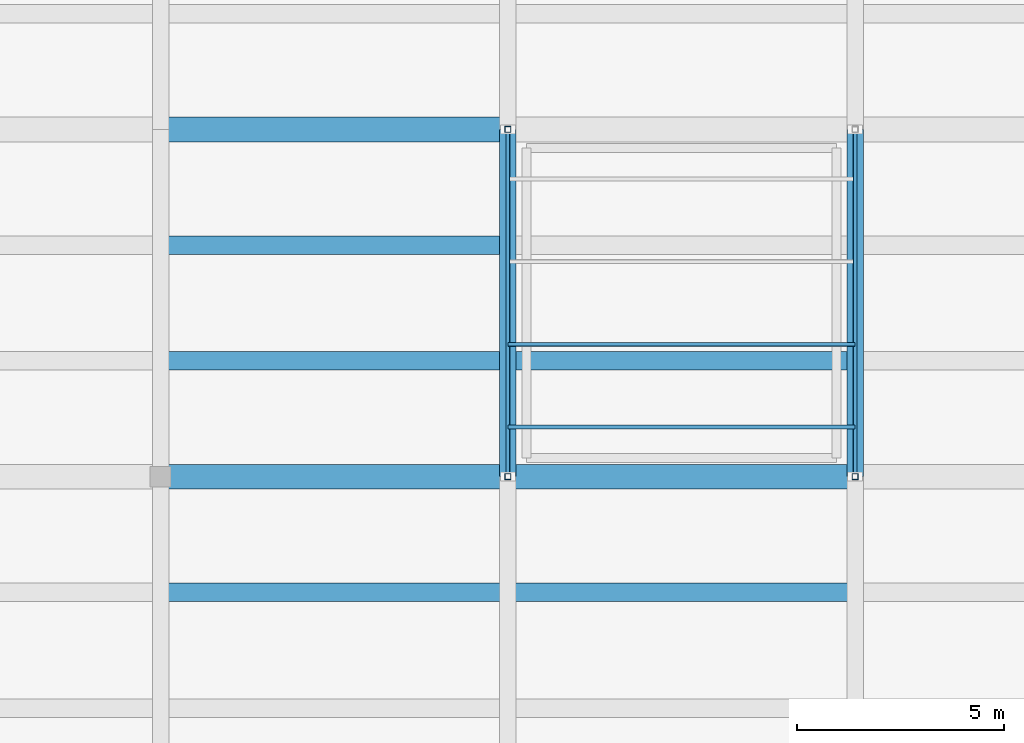
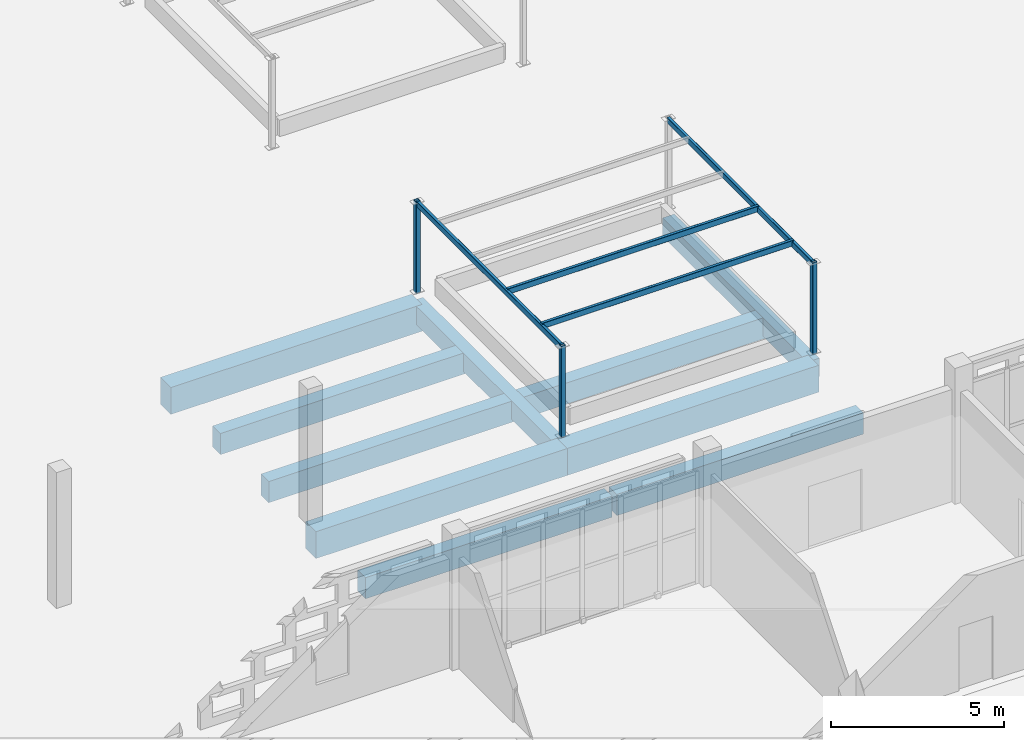
# One storey, part 11 of 129: 10 beams, 7 members.
"""IFC4 building model written with IfcOpenShell, lengths in metres."""

from ifc_helpers import new_model, si_unit, direction, frame, origin, origin_2d, place, context, subcontext, project, spatial, rectangle, hollow_rectangle, extrude, material, material_profile, profile_set, type_object, element, save


model = new_model("IFC4")

# Units and contexts
model_context = context("Model", 3, precision=1e-05, world=origin(), true_north=direction((0.0, 1.0)))
body_context = subcontext(model_context, "Body", "Model", "MODEL_VIEW")
ifc_project = project(units=[si_unit("LENGTHUNIT", "METRE"), si_unit("AREAUNIT", "SQUARE_METRE"), si_unit("VOLUMEUNIT", "CUBIC_METRE"), si_unit("PLANEANGLEUNIT", "RADIAN"), si_unit("MASSUNIT", "GRAM", prefix="KILO")], contexts=[model_context])

# Site, building, storey
site_placement = place(None, origin())
site = spatial("IfcSite", under=ifc_project, at=site_placement, CompositionType="ELEMENT")
building_placement = place(site_placement, origin())
building = spatial("IfcBuilding", under=site, at=building_placement, Name="Varnapada Polytechnic", CompositionType="ELEMENT")
storey_placement = place(building_placement, origin())
storey = spatial("IfcBuildingStorey", under=building, at=storey_placement, Name="L00", CompositionType="ELEMENT", Elevation=0.0)

# Beams
ifc_material_1 = material(Name="Concrete C40/50", Category="concrete")
ifc_material_profile_1 = material_profile(ifc_material_1, rectangle(XDim=0.449951171875, YDim=0.75, at=origin_2d()), Name="RC 450x750")
ifc_profile_set_1 = profile_set([ifc_material_profile_1], Name="Concrete C40/50")
beam_type_1 = type_object("IfcBeamType", Name="Basement/podium secondary beam BB-01 (RC 450x750)", PredefinedType="BEAM", material=ifc_profile_set_1)
for number, where, z_axis, x_axis, name in (
    (1, (58.8798828125, 47.60009765625, -0.655029296875), (1.0, 0.0, 0.0), (0.0, 1.0, 0.0), "L00 floor joist 8/6.2"),
    (2, (58.8798828125, 53.199951171875, -0.655029296875), (1.0, 0.0, 0.0), (0.0, 1.0, 0.0), "L00 floor joist 8/7.1"),
    (3, (58.8798828125, 56.0, -0.655029296875), (1.0, 0.0, 0.0), (0.0, 1.0, 0.0), "L00 floor joist 8/7.2"),
):
    element("IfcBeam", number, at=place(storey_placement, frame(where, z_axis=z_axis, x_axis=x_axis)), inside=storey, type_object=beam_type_1, Name=name, PredefinedType="BEAM", context=body_context, shape_type="SweptSolid", body=[
        extrude(rectangle(XDim=0.449951171875, YDim=0.75, at=origin_2d()), origin(), (0.0, 0.0, 1.0), 8.240234375),
    ])
for number, where, z_axis, x_axis, name in (
    (4, (67.280029296875, 47.60009765625, -0.655029296875), (1.0, 0.0, 0.0), (0.0, 1.0, 0.0), "L00 floor joist 9/6.2"),
    (5, (67.280029296875, 53.199951171875, -0.655029296875), (1.0, 0.0, 0.0), (0.0, 1.0, 0.0), "L00 floor joist 9/7.1"),
):
    element("IfcBeam", number, at=place(storey_placement, frame(where, z_axis=z_axis, x_axis=x_axis)), inside=storey, type_object=beam_type_1, Name=name, PredefinedType="BEAM", context=body_context, shape_type="SweptSolid", body=[
        extrude(rectangle(XDim=0.449951171875, YDim=0.75, at=origin_2d()), origin(), (0.0, 0.0, 1.0), 8.239990234375),
    ])

# Members
ifc_material_2 = material(Name="Steel S355", Category="steel")
ifc_material_profile_2 = material_profile(ifc_material_2, hollow_rectangle(XDim=0.10009765625, YDim=0.199951171875, WallThickness=0.00634765625, InnerFilletRadius=0.006103515625, OuterFilletRadius=0.011962890625, at=origin_2d()), Name="RHS 200x100x6.3")
ifc_profile_set_2 = profile_set([ifc_material_profile_2], Name="Steel S355")
member_type_1 = type_object("IfcMemberType", Name="Gable and library roof steel purlin PR-01 (RHS 200x100x6.3)", PredefinedType="PURLIN", material=ifc_profile_set_2)
for number, where, z_axis, x_axis, name in (
    (6, (67.199951171875, 50.39990234375, 3.1201171875), (0.0, 1.0, 0.0), (-1.0, 0.0, 0.0), "Courtyard planted garden pergola girder CT-BED-1.1"),
    (7, (75.60009765625, 50.39990234375, 3.1201171875), (0.0, 1.0, 0.0), (-1.0, 0.0, 0.0), "Courtyard planted garden pergola girder CT-BED-1.2"),
    (8, (67.199951171875, 51.60009765625, 3.159912109375), (1.0, 0.0, 0.0), (0.0, 1.0, 0.0), "Courtyard planted garden shade trellis CT-BED-1.1"),
    (9, (67.199951171875, 53.60009765625, 3.159912109375), (1.0, 0.0, 0.0), (0.0, 1.0, 0.0), "Courtyard planted garden shade trellis CT-BED-1.2"),
):
    element("IfcMember", number, at=place(storey_placement, frame(where, z_axis=z_axis, x_axis=x_axis)), inside=storey, type_object=member_type_1, Name=name, PredefinedType="PURLIN", context=body_context, shape_type="SweptSolid", body=[
        extrude(hollow_rectangle(XDim=0.10009765625, YDim=0.199951171875, WallThickness=0.00634765625, InnerFilletRadius=0.006103515625, OuterFilletRadius=0.011962890625, at=origin_2d()), origin(), (0.0, 0.0, 1.0), 8.400146484375),
    ])

# Beams
ifc_material_profile_3 = material_profile(ifc_material_1, rectangle(XDim=0.39990234375, YDim=0.64990234375, at=origin_2d()), Name="RC 400x650")
ifc_profile_set_3 = profile_set([ifc_material_profile_3], Name="Concrete C40/50")
beam_type_2 = type_object("IfcBeamType", Name="Podium framing beam BB-02 (RC 400x650)", PredefinedType="BEAM", material=ifc_profile_set_3)
for number, where, z_axis, x_axis, name in (
    (10, (67.199951171875, 50.39990234375, -0.60498046875), (0.0, 1.0, 0.0), (-1.0, 0.0, 0.0), "L00 beam Y 7-8 at X9"),
    (11, (75.60009765625, 50.39990234375, -0.60498046875), (0.0, 1.0, 0.0), (-1.0, 0.0, 0.0), "L00 beam Y 7-8 at X10"),
):
    element("IfcBeam", number, at=place(storey_placement, frame(where, z_axis=z_axis, x_axis=x_axis)), inside=storey, type_object=beam_type_2, Name=name, PredefinedType="BEAM", context=body_context, shape_type="SweptSolid", body=[
        extrude(rectangle(XDim=0.39990234375, YDim=0.64990234375, at=origin_2d()), origin(), (0.0, 0.0, 1.0), 8.400146484375),
    ])

# Members
ifc_material_profile_4 = material_profile(ifc_material_2, hollow_rectangle(XDim=0.14990234375, YDim=0.14990234375, WallThickness=0.00634765625, InnerFilletRadius=0.006103515625, OuterFilletRadius=0.011962890625, at=origin_2d()), Name="SHS 150x150x6.3")
ifc_profile_set_4 = profile_set([ifc_material_profile_4], Name="Steel S355")
member_type_2 = type_object("IfcMemberType", Name="Sawtooth north-light mullion post SFP-02 (SHS 150x150x6.3)", PredefinedType="POST", material=ifc_profile_set_4)
for number, where, z_axis, x_axis, name in (
    (12, (67.199951171875, 50.39990234375, -0.02001953125), (0.0, 0.0, 1.0), (1.0, 0.0, 0.0), "Courtyard planted garden trellis post CT-BED-1.1.1"),
    (13, (67.199951171875, 58.800048828125, -0.02001953125), (0.0, 0.0, 1.0), (1.0, 0.0, 0.0), "Courtyard planted garden trellis post CT-BED-1.1.2"),
    (14, (75.60009765625, 50.39990234375, -0.02001953125), (0.0, 0.0, 1.0), (1.0, 0.0, 0.0), "Courtyard planted garden trellis post CT-BED-1.2.1"),
):
    element("IfcMember", number, at=place(storey_placement, frame(where, z_axis=z_axis, x_axis=x_axis)), inside=storey, type_object=member_type_2, Name=name, PredefinedType="POST", context=body_context, shape_type="SweptSolid", body=[
        extrude(hollow_rectangle(XDim=0.14990234375, YDim=0.14990234375, WallThickness=0.00634765625, InnerFilletRadius=0.006103515625, OuterFilletRadius=0.011962890625, at=origin_2d()), origin(), (0.0, 0.0, 1.0), 3.239990234375),
    ])

# Beams
ifc_material_profile_5 = material_profile(ifc_material_1, rectangle(XDim=0.60009765625, YDim=0.949951171875, at=origin_2d()), Name="RC 600x950")
ifc_profile_set_5 = profile_set([ifc_material_profile_5], Name="Concrete C40/50")
beam_type_3 = type_object("IfcBeamType", Name="Workshop podium heavy girder BG-03 (RC 600x950)", PredefinedType="T_BEAM", material=ifc_profile_set_5)
for number, where, z_axis, x_axis, name in (
    (15, (58.800048828125, 50.39990234375, -0.7548828125), (1.0, 0.0, 0.0), (0.0, 1.0, 0.0), "L00 beam X 8-9 at Y7"),
    (16, (58.800048828125, 58.800048828125, -0.7548828125), (1.0, 0.0, 0.0), (0.0, 1.0, 0.0), "L00 beam X 8-9 at Y8"),
):
    element("IfcBeam", number, at=place(storey_placement, frame(where, z_axis=z_axis, x_axis=x_axis)), inside=storey, type_object=beam_type_3, Name=name, PredefinedType="T_BEAM", context=body_context, shape_type="SweptSolid", body=[
        extrude(rectangle(XDim=0.60009765625, YDim=0.949951171875, at=origin_2d()), origin(), (0.0, 0.0, 1.0), 8.39990234375),
    ])
beam_placement = place(storey_placement, frame((67.199951171875, 50.39990234375, -0.7548828125), z_axis=(1.0, 0.0, 0.0), x_axis=(0.0, 1.0, 0.0)))
element("IfcBeam", 17, at=beam_placement, inside=storey, type_object=beam_type_3, Name="L00 beam X 9-10 at Y7", PredefinedType="T_BEAM", context=body_context, shape_type="SweptSolid", body=[
    extrude(rectangle(XDim=0.60009765625, YDim=0.949951171875, at=origin_2d()), origin(), (0.0, 0.0, 1.0), 8.400146484375),
])

save(model, "model.ifc")
